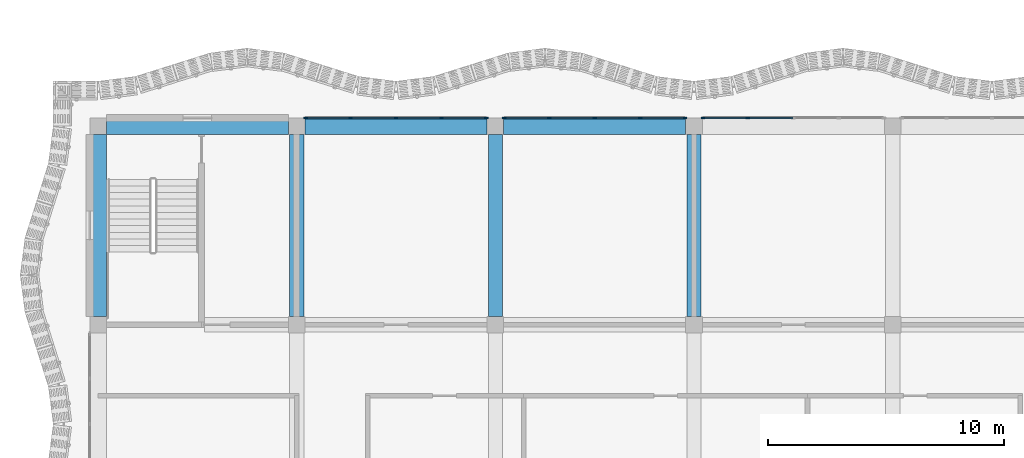
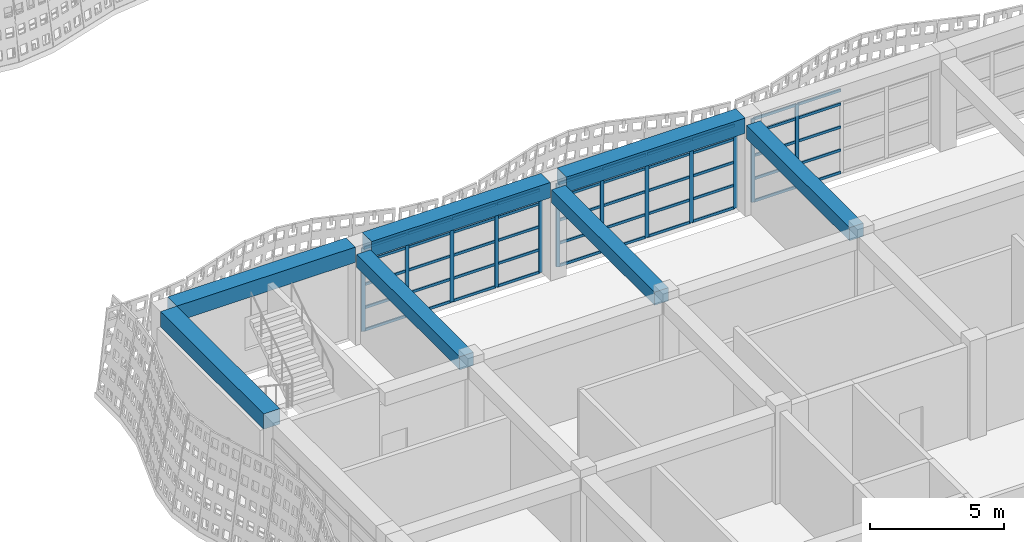
# One storey, part 22 of 162: 62 members, 7 beams, 3 elements without a shape of their own.
"""IFC4 building model written with IfcOpenShell, lengths in metres."""

from ifc_helpers import new_model, si_unit, direction, frame, origin, origin_2d, place, context, subcontext, project, spatial, rectangle, extrude, material, material_profile, profile_set, type_object, element, aggregate, save


model = new_model("IFC4")

# Units and contexts
model_context = context("Model", 3, precision=1e-05, world=origin(), true_north=direction((0.0, 1.0)))
body_context = subcontext(model_context, "Body", "Model", "MODEL_VIEW")
ifc_project = project(units=[si_unit("LENGTHUNIT", "METRE"), si_unit("AREAUNIT", "SQUARE_METRE"), si_unit("VOLUMEUNIT", "CUBIC_METRE"), si_unit("PLANEANGLEUNIT", "RADIAN"), si_unit("MASSUNIT", "GRAM", prefix="KILO")], contexts=[model_context])

# Site, building, storey
site_placement = place(None, origin())
site = spatial("IfcSite", under=ifc_project, at=site_placement, CompositionType="ELEMENT")
building_placement = place(site_placement, origin())
building = spatial("IfcBuilding", under=site, at=building_placement, Name="Rain Tree Exposition and Congress Centre", CompositionType="ELEMENT")
storey_placement = place(building_placement, frame((0.0, 0.0, 6.0)))
storey = spatial("IfcBuildingStorey", under=building, at=storey_placement, Name="L01", CompositionType="ELEMENT", Elevation=6.0)

# Beams
ifc_material_1 = material(Name="Precast concrete C50/60", Category="concrete")
ifc_material_profile_1 = material_profile(ifc_material_1, rectangle(XDim=0.60009765625, YDim=0.60009765625, at=origin_2d()), Name="RC 600x600")
ifc_profile_set_1 = profile_set([ifc_material_profile_1], Name="Precast concrete C50/60")
beam_type_1 = type_object("IfcBeamType", Name="Precast beam 600x600", PredefinedType="BEAM", material=ifc_profile_set_1)
for number, where, z_axis, x_axis, name in (
    (1, (8.39990234375, 42.35009765625, 3.85009765625), (0.0, 1.0, 0.0), (-1.0, 0.0, 0.0), "wing/beam/L01/L02/024"),
    (2, (16.800048828125, 42.35009765625, 3.85009765625), (0.0, 1.0, 0.0), (-1.0, 0.0, 0.0), "wing/beam/L01/L02/032"),
    (3, (25.199951171875, 42.35009765625, 3.85009765625), (0.0, 1.0, 0.0), (-1.0, 0.0, 0.0), "wing/beam/L01/L02/040"),
):
    element("IfcBeam", number, at=place(storey_placement, frame(where, z_axis=z_axis, x_axis=x_axis)), inside=storey, type_object=beam_type_1, Name=name, PredefinedType="BEAM", context=body_context, shape_type="SweptSolid", body=[
        extrude(rectangle(XDim=0.60009765625, YDim=0.60009765625, at=origin_2d()), origin(), (0.0, 0.0, 1.0), 7.699951171875),
    ])
ifc_material_2 = material(Name="Precast concrete C50/60", Category="concrete")
ifc_material_profile_2 = material_profile(ifc_material_2, rectangle(XDim=0.699951171875, YDim=0.699951171875, at=origin_2d()), Name="RC 700x700")
ifc_profile_set_2 = profile_set([ifc_material_profile_2], Name="Precast concrete C50/60")
beam_type_2 = type_object("IfcBeamType", Name="Precast spandrel beam 700x700", PredefinedType="SPANDREL", material=ifc_profile_set_2)
for number, where, z_axis, x_axis, name in (
    (4, (0.0, 42.35009765625, 4.14990234375), (0.0, 1.0, 0.0), (-1.0, 0.0, 0.0), "wing/beam/L01/L02/012"),
    (5, (0.35009765625, 50.39990234375, 4.14990234375), (1.0, 0.0, 0.0), (0.0, 1.0, 0.0), "wing/beam/L01/L02/061"),
    (6, (8.75, 50.39990234375, 4.14990234375), (1.0, 0.0, 0.0), (0.0, 1.0, 0.0), "wing/beam/L01/L02/063"),
):
    element("IfcBeam", number, at=place(storey_placement, frame(where, z_axis=z_axis, x_axis=x_axis)), inside=storey, type_object=beam_type_2, Name=name, PredefinedType="SPANDREL", context=body_context, shape_type="SweptSolid", body=[
        extrude(rectangle(XDim=0.699951171875, YDim=0.699951171875, at=origin_2d()), origin(), (0.0, 0.0, 1.0), 7.699951171875),
    ])
beam_placement = place(storey_placement, frame((17.14990234375, 50.39990234375, 4.14990234375), z_axis=(1.0, 0.0, 0.0), x_axis=(0.0, 1.0, 0.0)))
element("IfcBeam", 7, at=beam_placement, inside=storey, type_object=beam_type_2, Name="wing/beam/L01/L02/065", PredefinedType="SPANDREL", context=body_context, shape_type="SweptSolid", body=[
    extrude(rectangle(XDim=0.699951171875, YDim=0.699951171875, at=origin_2d()), origin(), (0.0, 0.0, 1.0), 7.7001953125),
])

# Curtain wall, members
ifc_material_3 = material(Name="Aluminium curtain wall", Category="aluminium")
curtain_wall_type = type_object("IfcCurtainWallType", Name="Wing curtain wall 1925", PredefinedType="NOTDEFINED", material=ifc_material_3)
curtain_wall_1_placement = place(storey_placement, origin())
curtain_wall_1 = element("IfcCurtainWall", 8, at=curtain_wall_1_placement, inside=storey, type_object=curtain_wall_type, Name="Curtain wall CWW204", PredefinedType="NOTDEFINED")
ifc_material_4 = material(Name="Aluminium", Category="aluminium")
ifc_material_profile_3 = material_profile(ifc_material_4, rectangle(XDim=0.06005859375, YDim=0.159912109375, at=origin_2d()), Name="Aluminium 60x160")
ifc_profile_set_3 = profile_set([ifc_material_profile_3], Name="Aluminium")
member_type_1 = type_object("IfcMemberType", Name="Wing mullion 60x160", PredefinedType="MULLION", material=ifc_profile_set_3)
member_1_placement = place(storey_placement, frame((8.780029296875, 50.75, 0.0), z_axis=(0.0, 0.0, 1.0), x_axis=(0.0, 1.0, 0.0)))
member_1 = element("IfcMember", 9, at=member_1_placement, type_object=member_type_1, Name="CWW204 mullion 1", PredefinedType="MULLION", context=body_context, shape_type="SweptSolid", body=[
    extrude(rectangle(XDim=0.06005859375, YDim=0.159912109375, at=origin_2d()), origin(), (0.0, 0.0, 1.0), 3.800048828125),
])
member_2_placement = place(storey_placement, frame((10.675048828125, 50.75, 0.0), z_axis=(0.0, 0.0, 1.0), x_axis=(0.0, 1.0, 0.0)))
member_2 = element("IfcMember", 10, at=member_2_placement, type_object=member_type_1, Name="CWW204 mullion 2", PredefinedType="MULLION", context=body_context, shape_type="SweptSolid", body=[
    extrude(rectangle(XDim=0.06005859375, YDim=0.159912109375, at=origin_2d()), origin(), (0.0, 0.0, 1.0), 3.800048828125),
])
member_3_placement = place(storey_placement, frame((12.60009765625, 50.75, 0.0), z_axis=(0.0, 0.0, 1.0), x_axis=(0.0, 1.0, 0.0)))
member_3 = element("IfcMember", 11, at=member_3_placement, type_object=member_type_1, Name="CWW204 mullion 3", PredefinedType="MULLION", context=body_context, shape_type="SweptSolid", body=[
    extrude(rectangle(XDim=0.06005859375, YDim=0.159912109375, at=origin_2d()), origin(), (0.0, 0.0, 1.0), 3.800048828125),
])
member_4_placement = place(storey_placement, frame((14.52490234375, 50.75, 0.0), z_axis=(0.0, 0.0, 1.0), x_axis=(0.0, 1.0, 0.0)))
member_4 = element("IfcMember", 12, at=member_4_placement, type_object=member_type_1, Name="CWW204 mullion 4", PredefinedType="MULLION", context=body_context, shape_type="SweptSolid", body=[
    extrude(rectangle(XDim=0.06005859375, YDim=0.159912109375, at=origin_2d()), origin(), (0.0, 0.0, 1.0), 3.800048828125),
])
member_5_placement = place(storey_placement, frame((16.419921875, 50.75, 0.0), z_axis=(0.0, 0.0, 1.0), x_axis=(0.0, 1.0, 0.0)))
member_5 = element("IfcMember", 13, at=member_5_placement, type_object=member_type_1, Name="CWW204 mullion 5", PredefinedType="MULLION", context=body_context, shape_type="SweptSolid", body=[
    extrude(rectangle(XDim=0.06005859375, YDim=0.159912109375, at=origin_2d()), origin(), (0.0, 0.0, 1.0), 3.800048828125),
])

curtain_wall_2_placement = place(storey_placement, origin())
curtain_wall_2 = element("IfcCurtainWall", 14, at=curtain_wall_2_placement, inside=storey, type_object=curtain_wall_type, Name="Curtain wall CWW205", PredefinedType="NOTDEFINED")
member_6_placement = place(storey_placement, frame((17.179931640625, 50.75, 0.0), z_axis=(0.0, 0.0, 1.0), x_axis=(0.0, 1.0, 0.0)))
member_6 = element("IfcMember", 15, at=member_6_placement, type_object=member_type_1, Name="CWW205 mullion 1", PredefinedType="MULLION", context=body_context, shape_type="SweptSolid", body=[
    extrude(rectangle(XDim=0.06005859375, YDim=0.159912109375, at=origin_2d()), origin(), (0.0, 0.0, 1.0), 3.800048828125),
])
member_7_placement = place(storey_placement, frame((19.074951171875, 50.75, 0.0), z_axis=(0.0, 0.0, 1.0), x_axis=(0.0, 1.0, 0.0)))
member_7 = element("IfcMember", 16, at=member_7_placement, type_object=member_type_1, Name="CWW205 mullion 2", PredefinedType="MULLION", context=body_context, shape_type="SweptSolid", body=[
    extrude(rectangle(XDim=0.06005859375, YDim=0.159912109375, at=origin_2d()), origin(), (0.0, 0.0, 1.0), 3.800048828125),
])
member_8_placement = place(storey_placement, frame((21.0, 50.75, 0.0), z_axis=(0.0, 0.0, 1.0), x_axis=(0.0, 1.0, 0.0)))
member_8 = element("IfcMember", 17, at=member_8_placement, type_object=member_type_1, Name="CWW205 mullion 3", PredefinedType="MULLION", context=body_context, shape_type="SweptSolid", body=[
    extrude(rectangle(XDim=0.06005859375, YDim=0.159912109375, at=origin_2d()), origin(), (0.0, 0.0, 1.0), 3.800048828125),
])
member_9_placement = place(storey_placement, frame((22.925048828125, 50.75, 0.0), z_axis=(0.0, 0.0, 1.0), x_axis=(0.0, 1.0, 0.0)))
member_9 = element("IfcMember", 18, at=member_9_placement, type_object=member_type_1, Name="CWW205 mullion 4", PredefinedType="MULLION", context=body_context, shape_type="SweptSolid", body=[
    extrude(rectangle(XDim=0.06005859375, YDim=0.159912109375, at=origin_2d()), origin(), (0.0, 0.0, 1.0), 3.800048828125),
])
member_10_placement = place(storey_placement, frame((24.820068359375, 50.75, 0.0), z_axis=(0.0, 0.0, 1.0), x_axis=(0.0, 1.0, 0.0)))
member_10 = element("IfcMember", 19, at=member_10_placement, type_object=member_type_1, Name="CWW205 mullion 5", PredefinedType="MULLION", context=body_context, shape_type="SweptSolid", body=[
    extrude(rectangle(XDim=0.06005859375, YDim=0.159912109375, at=origin_2d()), origin(), (0.0, 0.0, 1.0), 3.800048828125),
])

curtain_wall_3_placement = place(storey_placement, origin())
curtain_wall_3 = element("IfcCurtainWall", 20, at=curtain_wall_3_placement, inside=storey, type_object=curtain_wall_type, Name="Curtain wall CWW206", PredefinedType="NOTDEFINED")
member_11_placement = place(storey_placement, frame((25.580078125, 50.75, 0.0), z_axis=(0.0, 0.0, 1.0), x_axis=(0.0, 1.0, 0.0)))
member_11 = element("IfcMember", 21, at=member_11_placement, type_object=member_type_1, Name="CWW206 mullion 1", PredefinedType="MULLION", context=body_context, shape_type="SweptSolid", body=[
    extrude(rectangle(XDim=0.06005859375, YDim=0.159912109375, at=origin_2d()), origin(), (0.0, 0.0, 1.0), 3.800048828125),
])
member_12_placement = place(storey_placement, frame((27.47509765625, 50.75, 0.0), z_axis=(0.0, 0.0, 1.0), x_axis=(0.0, 1.0, 0.0)))
member_12 = element("IfcMember", 22, at=member_12_placement, type_object=member_type_1, Name="CWW206 mullion 2", PredefinedType="MULLION", context=body_context, shape_type="SweptSolid", body=[
    extrude(rectangle(XDim=0.06005859375, YDim=0.159912109375, at=origin_2d()), origin(), (0.0, 0.0, 1.0), 3.800048828125),
])

# Member
ifc_material_5 = material(Name="Aluminium", Category="aluminium")
ifc_material_profile_4 = material_profile(ifc_material_5, rectangle(XDim=0.06005859375, YDim=0.1201171875, at=origin_2d()), Name="Aluminium 60x120")
ifc_profile_set_4 = profile_set([ifc_material_profile_4], Name="Aluminium")
member_type_2 = type_object("IfcMemberType", Name="Wing transom 60x120", PredefinedType="USERDEFINED", material=ifc_profile_set_4)
member_13_placement = place(storey_placement, frame((8.81005859375, 50.75, 0.030029296875), z_axis=(1.0, 0.0, 0.0), x_axis=(0.0, 1.0, 0.0)))
member_13 = element("IfcMember", 23, at=member_13_placement, type_object=member_type_2, Name="CWW204 transom 1.1", ObjectType="TRANSOM", PredefinedType="USERDEFINED", context=body_context, shape_type="SweptSolid", body=[
    extrude(rectangle(XDim=0.06005859375, YDim=0.1201171875, at=origin_2d()), origin(), (0.0, 0.0, 1.0), 1.8349609375),
])

member_14_placement = place(storey_placement, frame((8.81005859375, 50.75, 1.050048828125), z_axis=(1.0, 0.0, 0.0), x_axis=(0.0, 1.0, 0.0)))
member_14 = element("IfcMember", 24, at=member_14_placement, type_object=member_type_2, Name="CWW204 transom 1.2", ObjectType="TRANSOM", PredefinedType="USERDEFINED", context=body_context, shape_type="SweptSolid", body=[
    extrude(rectangle(XDim=0.06005859375, YDim=0.1201171875, at=origin_2d()), origin(), (0.0, 0.0, 1.0), 1.8349609375),
])

member_15_placement = place(storey_placement, frame((8.81005859375, 50.75, 2.10009765625), z_axis=(1.0, 0.0, 0.0), x_axis=(0.0, 1.0, 0.0)))
member_15 = element("IfcMember", 25, at=member_15_placement, type_object=member_type_2, Name="CWW204 transom 1.3", ObjectType="TRANSOM", PredefinedType="USERDEFINED", context=body_context, shape_type="SweptSolid", body=[
    extrude(rectangle(XDim=0.06005859375, YDim=0.1201171875, at=origin_2d()), origin(), (0.0, 0.0, 1.0), 1.8349609375),
])

member_16_placement = place(storey_placement, frame((8.81005859375, 50.75, 3.14990234375), z_axis=(1.0, 0.0, 0.0), x_axis=(0.0, 1.0, 0.0)))
member_16 = element("IfcMember", 26, at=member_16_placement, type_object=member_type_2, Name="CWW204 transom 1.4", ObjectType="TRANSOM", PredefinedType="USERDEFINED", context=body_context, shape_type="SweptSolid", body=[
    extrude(rectangle(XDim=0.06005859375, YDim=0.1201171875, at=origin_2d()), origin(), (0.0, 0.0, 1.0), 1.8349609375),
])

member_17_placement = place(storey_placement, frame((8.81005859375, 50.75, 3.77001953125), z_axis=(1.0, 0.0, 0.0), x_axis=(0.0, 1.0, 0.0)))
member_17 = element("IfcMember", 27, at=member_17_placement, type_object=member_type_2, Name="CWW204 transom 1.5", ObjectType="TRANSOM", PredefinedType="USERDEFINED", context=body_context, shape_type="SweptSolid", body=[
    extrude(rectangle(XDim=0.06005859375, YDim=0.1201171875, at=origin_2d()), origin(), (0.0, 0.0, 1.0), 1.8349609375),
])

member_18_placement = place(storey_placement, frame((10.705078125, 50.75, 0.030029296875), z_axis=(1.0, 0.0, 0.0), x_axis=(0.0, 1.0, 0.0)))
member_18 = element("IfcMember", 28, at=member_18_placement, type_object=member_type_2, Name="CWW204 transom 2.1", ObjectType="TRANSOM", PredefinedType="USERDEFINED", context=body_context, shape_type="SweptSolid", body=[
    extrude(rectangle(XDim=0.06005859375, YDim=0.1201171875, at=origin_2d()), origin(), (0.0, 0.0, 1.0), 1.864990234375),
])

member_19_placement = place(storey_placement, frame((10.705078125, 50.75, 1.050048828125), z_axis=(1.0, 0.0, 0.0), x_axis=(0.0, 1.0, 0.0)))
member_19 = element("IfcMember", 29, at=member_19_placement, type_object=member_type_2, Name="CWW204 transom 2.2", ObjectType="TRANSOM", PredefinedType="USERDEFINED", context=body_context, shape_type="SweptSolid", body=[
    extrude(rectangle(XDim=0.06005859375, YDim=0.1201171875, at=origin_2d()), origin(), (0.0, 0.0, 1.0), 1.864990234375),
])

member_20_placement = place(storey_placement, frame((10.705078125, 50.75, 2.10009765625), z_axis=(1.0, 0.0, 0.0), x_axis=(0.0, 1.0, 0.0)))
member_20 = element("IfcMember", 30, at=member_20_placement, type_object=member_type_2, Name="CWW204 transom 2.3", ObjectType="TRANSOM", PredefinedType="USERDEFINED", context=body_context, shape_type="SweptSolid", body=[
    extrude(rectangle(XDim=0.06005859375, YDim=0.1201171875, at=origin_2d()), origin(), (0.0, 0.0, 1.0), 1.864990234375),
])

member_21_placement = place(storey_placement, frame((10.705078125, 50.75, 3.14990234375), z_axis=(1.0, 0.0, 0.0), x_axis=(0.0, 1.0, 0.0)))
member_21 = element("IfcMember", 31, at=member_21_placement, type_object=member_type_2, Name="CWW204 transom 2.4", ObjectType="TRANSOM", PredefinedType="USERDEFINED", context=body_context, shape_type="SweptSolid", body=[
    extrude(rectangle(XDim=0.06005859375, YDim=0.1201171875, at=origin_2d()), origin(), (0.0, 0.0, 1.0), 1.864990234375),
])

member_22_placement = place(storey_placement, frame((10.705078125, 50.75, 3.77001953125), z_axis=(1.0, 0.0, 0.0), x_axis=(0.0, 1.0, 0.0)))
member_22 = element("IfcMember", 32, at=member_22_placement, type_object=member_type_2, Name="CWW204 transom 2.5", ObjectType="TRANSOM", PredefinedType="USERDEFINED", context=body_context, shape_type="SweptSolid", body=[
    extrude(rectangle(XDim=0.06005859375, YDim=0.1201171875, at=origin_2d()), origin(), (0.0, 0.0, 1.0), 1.864990234375),
])

member_23_placement = place(storey_placement, frame((12.6298828125, 50.75, 0.030029296875), z_axis=(1.0, 0.0, 0.0), x_axis=(0.0, 1.0, 0.0)))
member_23 = element("IfcMember", 33, at=member_23_placement, type_object=member_type_2, Name="CWW204 transom 3.1", ObjectType="TRANSOM", PredefinedType="USERDEFINED", context=body_context, shape_type="SweptSolid", body=[
    extrude(rectangle(XDim=0.06005859375, YDim=0.1201171875, at=origin_2d()), origin(), (0.0, 0.0, 1.0), 1.865234375),
])

member_24_placement = place(storey_placement, frame((12.6298828125, 50.75, 1.050048828125), z_axis=(1.0, 0.0, 0.0), x_axis=(0.0, 1.0, 0.0)))
member_24 = element("IfcMember", 34, at=member_24_placement, type_object=member_type_2, Name="CWW204 transom 3.2", ObjectType="TRANSOM", PredefinedType="USERDEFINED", context=body_context, shape_type="SweptSolid", body=[
    extrude(rectangle(XDim=0.06005859375, YDim=0.1201171875, at=origin_2d()), origin(), (0.0, 0.0, 1.0), 1.865234375),
])

member_25_placement = place(storey_placement, frame((12.6298828125, 50.75, 2.10009765625), z_axis=(1.0, 0.0, 0.0), x_axis=(0.0, 1.0, 0.0)))
member_25 = element("IfcMember", 35, at=member_25_placement, type_object=member_type_2, Name="CWW204 transom 3.3", ObjectType="TRANSOM", PredefinedType="USERDEFINED", context=body_context, shape_type="SweptSolid", body=[
    extrude(rectangle(XDim=0.06005859375, YDim=0.1201171875, at=origin_2d()), origin(), (0.0, 0.0, 1.0), 1.865234375),
])

member_26_placement = place(storey_placement, frame((12.6298828125, 50.75, 3.14990234375), z_axis=(1.0, 0.0, 0.0), x_axis=(0.0, 1.0, 0.0)))
member_26 = element("IfcMember", 36, at=member_26_placement, type_object=member_type_2, Name="CWW204 transom 3.4", ObjectType="TRANSOM", PredefinedType="USERDEFINED", context=body_context, shape_type="SweptSolid", body=[
    extrude(rectangle(XDim=0.06005859375, YDim=0.1201171875, at=origin_2d()), origin(), (0.0, 0.0, 1.0), 1.865234375),
])

member_27_placement = place(storey_placement, frame((12.6298828125, 50.75, 3.77001953125), z_axis=(1.0, 0.0, 0.0), x_axis=(0.0, 1.0, 0.0)))
member_27 = element("IfcMember", 37, at=member_27_placement, type_object=member_type_2, Name="CWW204 transom 3.5", ObjectType="TRANSOM", PredefinedType="USERDEFINED", context=body_context, shape_type="SweptSolid", body=[
    extrude(rectangle(XDim=0.06005859375, YDim=0.1201171875, at=origin_2d()), origin(), (0.0, 0.0, 1.0), 1.865234375),
])

member_28_placement = place(storey_placement, frame((14.554931640625, 50.75, 0.030029296875), z_axis=(1.0, 0.0, 0.0), x_axis=(0.0, 1.0, 0.0)))
member_28 = element("IfcMember", 38, at=member_28_placement, type_object=member_type_2, Name="CWW204 transom 4.1", ObjectType="TRANSOM", PredefinedType="USERDEFINED", context=body_context, shape_type="SweptSolid", body=[
    extrude(rectangle(XDim=0.06005859375, YDim=0.1201171875, at=origin_2d()), origin(), (0.0, 0.0, 1.0), 1.8349609375),
])

member_29_placement = place(storey_placement, frame((14.554931640625, 50.75, 1.050048828125), z_axis=(1.0, 0.0, 0.0), x_axis=(0.0, 1.0, 0.0)))
member_29 = element("IfcMember", 39, at=member_29_placement, type_object=member_type_2, Name="CWW204 transom 4.2", ObjectType="TRANSOM", PredefinedType="USERDEFINED", context=body_context, shape_type="SweptSolid", body=[
    extrude(rectangle(XDim=0.06005859375, YDim=0.1201171875, at=origin_2d()), origin(), (0.0, 0.0, 1.0), 1.8349609375),
])

member_30_placement = place(storey_placement, frame((14.554931640625, 50.75, 2.10009765625), z_axis=(1.0, 0.0, 0.0), x_axis=(0.0, 1.0, 0.0)))
member_30 = element("IfcMember", 40, at=member_30_placement, type_object=member_type_2, Name="CWW204 transom 4.3", ObjectType="TRANSOM", PredefinedType="USERDEFINED", context=body_context, shape_type="SweptSolid", body=[
    extrude(rectangle(XDim=0.06005859375, YDim=0.1201171875, at=origin_2d()), origin(), (0.0, 0.0, 1.0), 1.8349609375),
])

member_31_placement = place(storey_placement, frame((14.554931640625, 50.75, 3.14990234375), z_axis=(1.0, 0.0, 0.0), x_axis=(0.0, 1.0, 0.0)))
member_31 = element("IfcMember", 41, at=member_31_placement, type_object=member_type_2, Name="CWW204 transom 4.4", ObjectType="TRANSOM", PredefinedType="USERDEFINED", context=body_context, shape_type="SweptSolid", body=[
    extrude(rectangle(XDim=0.06005859375, YDim=0.1201171875, at=origin_2d()), origin(), (0.0, 0.0, 1.0), 1.8349609375),
])

member_32_placement = place(storey_placement, frame((14.554931640625, 50.75, 3.77001953125), z_axis=(1.0, 0.0, 0.0), x_axis=(0.0, 1.0, 0.0)))
member_32 = element("IfcMember", 42, at=member_32_placement, type_object=member_type_2, Name="CWW204 transom 4.5", ObjectType="TRANSOM", PredefinedType="USERDEFINED", context=body_context, shape_type="SweptSolid", body=[
    extrude(rectangle(XDim=0.06005859375, YDim=0.1201171875, at=origin_2d()), origin(), (0.0, 0.0, 1.0), 1.8349609375),
])

aggregate(curtain_wall_1, [member_1, member_2, member_3, member_4, member_5, member_13, member_14, member_15, member_16, member_17, member_18, member_19, member_20, member_21, member_22, member_23, member_24, member_25, member_26, member_27, member_28, member_29, member_30, member_31, member_32])

member_33_placement = place(storey_placement, frame((17.2099609375, 50.75, 0.030029296875), z_axis=(1.0, 0.0, 0.0), x_axis=(0.0, 1.0, 0.0)))
member_33 = element("IfcMember", 43, at=member_33_placement, type_object=member_type_2, Name="CWW205 transom 1.1", ObjectType="TRANSOM", PredefinedType="USERDEFINED", context=body_context, shape_type="SweptSolid", body=[
    extrude(rectangle(XDim=0.06005859375, YDim=0.1201171875, at=origin_2d()), origin(), (0.0, 0.0, 1.0), 1.8349609375),
])

member_34_placement = place(storey_placement, frame((17.2099609375, 50.75, 1.050048828125), z_axis=(1.0, 0.0, 0.0), x_axis=(0.0, 1.0, 0.0)))
member_34 = element("IfcMember", 44, at=member_34_placement, type_object=member_type_2, Name="CWW205 transom 1.2", ObjectType="TRANSOM", PredefinedType="USERDEFINED", context=body_context, shape_type="SweptSolid", body=[
    extrude(rectangle(XDim=0.06005859375, YDim=0.1201171875, at=origin_2d()), origin(), (0.0, 0.0, 1.0), 1.8349609375),
])

member_35_placement = place(storey_placement, frame((17.2099609375, 50.75, 2.10009765625), z_axis=(1.0, 0.0, 0.0), x_axis=(0.0, 1.0, 0.0)))
member_35 = element("IfcMember", 45, at=member_35_placement, type_object=member_type_2, Name="CWW205 transom 1.3", ObjectType="TRANSOM", PredefinedType="USERDEFINED", context=body_context, shape_type="SweptSolid", body=[
    extrude(rectangle(XDim=0.06005859375, YDim=0.1201171875, at=origin_2d()), origin(), (0.0, 0.0, 1.0), 1.8349609375),
])

member_36_placement = place(storey_placement, frame((17.2099609375, 50.75, 3.14990234375), z_axis=(1.0, 0.0, 0.0), x_axis=(0.0, 1.0, 0.0)))
member_36 = element("IfcMember", 46, at=member_36_placement, type_object=member_type_2, Name="CWW205 transom 1.4", ObjectType="TRANSOM", PredefinedType="USERDEFINED", context=body_context, shape_type="SweptSolid", body=[
    extrude(rectangle(XDim=0.06005859375, YDim=0.1201171875, at=origin_2d()), origin(), (0.0, 0.0, 1.0), 1.8349609375),
])

member_37_placement = place(storey_placement, frame((17.2099609375, 50.75, 3.77001953125), z_axis=(1.0, 0.0, 0.0), x_axis=(0.0, 1.0, 0.0)))
member_37 = element("IfcMember", 47, at=member_37_placement, type_object=member_type_2, Name="CWW205 transom 1.5", ObjectType="TRANSOM", PredefinedType="USERDEFINED", context=body_context, shape_type="SweptSolid", body=[
    extrude(rectangle(XDim=0.06005859375, YDim=0.1201171875, at=origin_2d()), origin(), (0.0, 0.0, 1.0), 1.8349609375),
])

member_38_placement = place(storey_placement, frame((19.10498046875, 50.75, 0.030029296875), z_axis=(1.0, 0.0, 0.0), x_axis=(0.0, 1.0, 0.0)))
member_38 = element("IfcMember", 48, at=member_38_placement, type_object=member_type_2, Name="CWW205 transom 2.1", ObjectType="TRANSOM", PredefinedType="USERDEFINED", context=body_context, shape_type="SweptSolid", body=[
    extrude(rectangle(XDim=0.06005859375, YDim=0.1201171875, at=origin_2d()), origin(), (0.0, 0.0, 1.0), 1.864990234375),
])

member_39_placement = place(storey_placement, frame((19.10498046875, 50.75, 1.050048828125), z_axis=(1.0, 0.0, 0.0), x_axis=(0.0, 1.0, 0.0)))
member_39 = element("IfcMember", 49, at=member_39_placement, type_object=member_type_2, Name="CWW205 transom 2.2", ObjectType="TRANSOM", PredefinedType="USERDEFINED", context=body_context, shape_type="SweptSolid", body=[
    extrude(rectangle(XDim=0.06005859375, YDim=0.1201171875, at=origin_2d()), origin(), (0.0, 0.0, 1.0), 1.864990234375),
])

member_40_placement = place(storey_placement, frame((19.10498046875, 50.75, 2.10009765625), z_axis=(1.0, 0.0, 0.0), x_axis=(0.0, 1.0, 0.0)))
member_40 = element("IfcMember", 50, at=member_40_placement, type_object=member_type_2, Name="CWW205 transom 2.3", ObjectType="TRANSOM", PredefinedType="USERDEFINED", context=body_context, shape_type="SweptSolid", body=[
    extrude(rectangle(XDim=0.06005859375, YDim=0.1201171875, at=origin_2d()), origin(), (0.0, 0.0, 1.0), 1.864990234375),
])

member_41_placement = place(storey_placement, frame((19.10498046875, 50.75, 3.14990234375), z_axis=(1.0, 0.0, 0.0), x_axis=(0.0, 1.0, 0.0)))
member_41 = element("IfcMember", 51, at=member_41_placement, type_object=member_type_2, Name="CWW205 transom 2.4", ObjectType="TRANSOM", PredefinedType="USERDEFINED", context=body_context, shape_type="SweptSolid", body=[
    extrude(rectangle(XDim=0.06005859375, YDim=0.1201171875, at=origin_2d()), origin(), (0.0, 0.0, 1.0), 1.864990234375),
])

member_42_placement = place(storey_placement, frame((19.10498046875, 50.75, 3.77001953125), z_axis=(1.0, 0.0, 0.0), x_axis=(0.0, 1.0, 0.0)))
member_42 = element("IfcMember", 52, at=member_42_placement, type_object=member_type_2, Name="CWW205 transom 2.5", ObjectType="TRANSOM", PredefinedType="USERDEFINED", context=body_context, shape_type="SweptSolid", body=[
    extrude(rectangle(XDim=0.06005859375, YDim=0.1201171875, at=origin_2d()), origin(), (0.0, 0.0, 1.0), 1.864990234375),
])

member_43_placement = place(storey_placement, frame((21.030029296875, 50.75, 0.030029296875), z_axis=(1.0, 0.0, 0.0), x_axis=(0.0, 1.0, 0.0)))
member_43 = element("IfcMember", 53, at=member_43_placement, type_object=member_type_2, Name="CWW205 transom 3.1", ObjectType="TRANSOM", PredefinedType="USERDEFINED", context=body_context, shape_type="SweptSolid", body=[
    extrude(rectangle(XDim=0.06005859375, YDim=0.1201171875, at=origin_2d()), origin(), (0.0, 0.0, 1.0), 1.864990234375),
])

member_44_placement = place(storey_placement, frame((21.030029296875, 50.75, 1.050048828125), z_axis=(1.0, 0.0, 0.0), x_axis=(0.0, 1.0, 0.0)))
member_44 = element("IfcMember", 54, at=member_44_placement, type_object=member_type_2, Name="CWW205 transom 3.2", ObjectType="TRANSOM", PredefinedType="USERDEFINED", context=body_context, shape_type="SweptSolid", body=[
    extrude(rectangle(XDim=0.06005859375, YDim=0.1201171875, at=origin_2d()), origin(), (0.0, 0.0, 1.0), 1.864990234375),
])

member_45_placement = place(storey_placement, frame((21.030029296875, 50.75, 2.10009765625), z_axis=(1.0, 0.0, 0.0), x_axis=(0.0, 1.0, 0.0)))
member_45 = element("IfcMember", 55, at=member_45_placement, type_object=member_type_2, Name="CWW205 transom 3.3", ObjectType="TRANSOM", PredefinedType="USERDEFINED", context=body_context, shape_type="SweptSolid", body=[
    extrude(rectangle(XDim=0.06005859375, YDim=0.1201171875, at=origin_2d()), origin(), (0.0, 0.0, 1.0), 1.864990234375),
])

member_46_placement = place(storey_placement, frame((21.030029296875, 50.75, 3.14990234375), z_axis=(1.0, 0.0, 0.0), x_axis=(0.0, 1.0, 0.0)))
member_46 = element("IfcMember", 56, at=member_46_placement, type_object=member_type_2, Name="CWW205 transom 3.4", ObjectType="TRANSOM", PredefinedType="USERDEFINED", context=body_context, shape_type="SweptSolid", body=[
    extrude(rectangle(XDim=0.06005859375, YDim=0.1201171875, at=origin_2d()), origin(), (0.0, 0.0, 1.0), 1.864990234375),
])

member_47_placement = place(storey_placement, frame((21.030029296875, 50.75, 3.77001953125), z_axis=(1.0, 0.0, 0.0), x_axis=(0.0, 1.0, 0.0)))
member_47 = element("IfcMember", 57, at=member_47_placement, type_object=member_type_2, Name="CWW205 transom 3.5", ObjectType="TRANSOM", PredefinedType="USERDEFINED", context=body_context, shape_type="SweptSolid", body=[
    extrude(rectangle(XDim=0.06005859375, YDim=0.1201171875, at=origin_2d()), origin(), (0.0, 0.0, 1.0), 1.864990234375),
])

member_48_placement = place(storey_placement, frame((22.955078125, 50.75, 0.030029296875), z_axis=(1.0, 0.0, 0.0), x_axis=(0.0, 1.0, 0.0)))
member_48 = element("IfcMember", 58, at=member_48_placement, type_object=member_type_2, Name="CWW205 transom 4.1", ObjectType="TRANSOM", PredefinedType="USERDEFINED", context=body_context, shape_type="SweptSolid", body=[
    extrude(rectangle(XDim=0.06005859375, YDim=0.1201171875, at=origin_2d()), origin(), (0.0, 0.0, 1.0), 1.8349609375),
])

member_49_placement = place(storey_placement, frame((22.955078125, 50.75, 1.050048828125), z_axis=(1.0, 0.0, 0.0), x_axis=(0.0, 1.0, 0.0)))
member_49 = element("IfcMember", 59, at=member_49_placement, type_object=member_type_2, Name="CWW205 transom 4.2", ObjectType="TRANSOM", PredefinedType="USERDEFINED", context=body_context, shape_type="SweptSolid", body=[
    extrude(rectangle(XDim=0.06005859375, YDim=0.1201171875, at=origin_2d()), origin(), (0.0, 0.0, 1.0), 1.8349609375),
])

member_50_placement = place(storey_placement, frame((22.955078125, 50.75, 2.10009765625), z_axis=(1.0, 0.0, 0.0), x_axis=(0.0, 1.0, 0.0)))
member_50 = element("IfcMember", 60, at=member_50_placement, type_object=member_type_2, Name="CWW205 transom 4.3", ObjectType="TRANSOM", PredefinedType="USERDEFINED", context=body_context, shape_type="SweptSolid", body=[
    extrude(rectangle(XDim=0.06005859375, YDim=0.1201171875, at=origin_2d()), origin(), (0.0, 0.0, 1.0), 1.8349609375),
])

member_51_placement = place(storey_placement, frame((22.955078125, 50.75, 3.14990234375), z_axis=(1.0, 0.0, 0.0), x_axis=(0.0, 1.0, 0.0)))
member_51 = element("IfcMember", 61, at=member_51_placement, type_object=member_type_2, Name="CWW205 transom 4.4", ObjectType="TRANSOM", PredefinedType="USERDEFINED", context=body_context, shape_type="SweptSolid", body=[
    extrude(rectangle(XDim=0.06005859375, YDim=0.1201171875, at=origin_2d()), origin(), (0.0, 0.0, 1.0), 1.8349609375),
])

member_52_placement = place(storey_placement, frame((22.955078125, 50.75, 3.77001953125), z_axis=(1.0, 0.0, 0.0), x_axis=(0.0, 1.0, 0.0)))
member_52 = element("IfcMember", 62, at=member_52_placement, type_object=member_type_2, Name="CWW205 transom 4.5", ObjectType="TRANSOM", PredefinedType="USERDEFINED", context=body_context, shape_type="SweptSolid", body=[
    extrude(rectangle(XDim=0.06005859375, YDim=0.1201171875, at=origin_2d()), origin(), (0.0, 0.0, 1.0), 1.8349609375),
])

aggregate(curtain_wall_2, [member_6, member_7, member_8, member_9, member_10, member_33, member_34, member_35, member_36, member_37, member_38, member_39, member_40, member_41, member_42, member_43, member_44, member_45, member_46, member_47, member_48, member_49, member_50, member_51, member_52])

member_53_placement = place(storey_placement, frame((25.610107421875, 50.75, 0.030029296875), z_axis=(1.0, 0.0, 0.0), x_axis=(0.0, 1.0, 0.0)))
member_53 = element("IfcMember", 63, at=member_53_placement, type_object=member_type_2, Name="CWW206 transom 1.1", ObjectType="TRANSOM", PredefinedType="USERDEFINED", context=body_context, shape_type="SweptSolid", body=[
    extrude(rectangle(XDim=0.06005859375, YDim=0.1201171875, at=origin_2d()), origin(), (0.0, 0.0, 1.0), 1.8349609375),
])

member_54_placement = place(storey_placement, frame((25.610107421875, 50.75, 1.050048828125), z_axis=(1.0, 0.0, 0.0), x_axis=(0.0, 1.0, 0.0)))
member_54 = element("IfcMember", 64, at=member_54_placement, type_object=member_type_2, Name="CWW206 transom 1.2", ObjectType="TRANSOM", PredefinedType="USERDEFINED", context=body_context, shape_type="SweptSolid", body=[
    extrude(rectangle(XDim=0.06005859375, YDim=0.1201171875, at=origin_2d()), origin(), (0.0, 0.0, 1.0), 1.8349609375),
])

member_55_placement = place(storey_placement, frame((25.610107421875, 50.75, 2.10009765625), z_axis=(1.0, 0.0, 0.0), x_axis=(0.0, 1.0, 0.0)))
member_55 = element("IfcMember", 65, at=member_55_placement, type_object=member_type_2, Name="CWW206 transom 1.3", ObjectType="TRANSOM", PredefinedType="USERDEFINED", context=body_context, shape_type="SweptSolid", body=[
    extrude(rectangle(XDim=0.06005859375, YDim=0.1201171875, at=origin_2d()), origin(), (0.0, 0.0, 1.0), 1.8349609375),
])

member_56_placement = place(storey_placement, frame((25.610107421875, 50.75, 3.14990234375), z_axis=(1.0, 0.0, 0.0), x_axis=(0.0, 1.0, 0.0)))
member_56 = element("IfcMember", 66, at=member_56_placement, type_object=member_type_2, Name="CWW206 transom 1.4", ObjectType="TRANSOM", PredefinedType="USERDEFINED", context=body_context, shape_type="SweptSolid", body=[
    extrude(rectangle(XDim=0.06005859375, YDim=0.1201171875, at=origin_2d()), origin(), (0.0, 0.0, 1.0), 1.8349609375),
])

member_57_placement = place(storey_placement, frame((25.610107421875, 50.75, 3.77001953125), z_axis=(1.0, 0.0, 0.0), x_axis=(0.0, 1.0, 0.0)))
member_57 = element("IfcMember", 67, at=member_57_placement, type_object=member_type_2, Name="CWW206 transom 1.5", ObjectType="TRANSOM", PredefinedType="USERDEFINED", context=body_context, shape_type="SweptSolid", body=[
    extrude(rectangle(XDim=0.06005859375, YDim=0.1201171875, at=origin_2d()), origin(), (0.0, 0.0, 1.0), 1.8349609375),
])

member_58_placement = place(storey_placement, frame((27.5048828125, 50.75, 0.030029296875), z_axis=(1.0, 0.0, 0.0), x_axis=(0.0, 1.0, 0.0)))
member_58 = element("IfcMember", 68, at=member_58_placement, type_object=member_type_2, Name="CWW206 transom 2.1", ObjectType="TRANSOM", PredefinedType="USERDEFINED", context=body_context, shape_type="SweptSolid", body=[
    extrude(rectangle(XDim=0.06005859375, YDim=0.1201171875, at=origin_2d()), origin(), (0.0, 0.0, 1.0), 1.865234375),
])

member_59_placement = place(storey_placement, frame((27.5048828125, 50.75, 1.050048828125), z_axis=(1.0, 0.0, 0.0), x_axis=(0.0, 1.0, 0.0)))
member_59 = element("IfcMember", 69, at=member_59_placement, type_object=member_type_2, Name="CWW206 transom 2.2", ObjectType="TRANSOM", PredefinedType="USERDEFINED", context=body_context, shape_type="SweptSolid", body=[
    extrude(rectangle(XDim=0.06005859375, YDim=0.1201171875, at=origin_2d()), origin(), (0.0, 0.0, 1.0), 1.865234375),
])

member_60_placement = place(storey_placement, frame((27.5048828125, 50.75, 2.10009765625), z_axis=(1.0, 0.0, 0.0), x_axis=(0.0, 1.0, 0.0)))
member_60 = element("IfcMember", 70, at=member_60_placement, type_object=member_type_2, Name="CWW206 transom 2.3", ObjectType="TRANSOM", PredefinedType="USERDEFINED", context=body_context, shape_type="SweptSolid", body=[
    extrude(rectangle(XDim=0.06005859375, YDim=0.1201171875, at=origin_2d()), origin(), (0.0, 0.0, 1.0), 1.865234375),
])

member_61_placement = place(storey_placement, frame((27.5048828125, 50.75, 3.14990234375), z_axis=(1.0, 0.0, 0.0), x_axis=(0.0, 1.0, 0.0)))
member_61 = element("IfcMember", 71, at=member_61_placement, type_object=member_type_2, Name="CWW206 transom 2.4", ObjectType="TRANSOM", PredefinedType="USERDEFINED", context=body_context, shape_type="SweptSolid", body=[
    extrude(rectangle(XDim=0.06005859375, YDim=0.1201171875, at=origin_2d()), origin(), (0.0, 0.0, 1.0), 1.865234375),
])

member_62_placement = place(storey_placement, frame((27.5048828125, 50.75, 3.77001953125), z_axis=(1.0, 0.0, 0.0), x_axis=(0.0, 1.0, 0.0)))
member_62 = element("IfcMember", 72, at=member_62_placement, type_object=member_type_2, Name="CWW206 transom 2.5", ObjectType="TRANSOM", PredefinedType="USERDEFINED", context=body_context, shape_type="SweptSolid", body=[
    extrude(rectangle(XDim=0.06005859375, YDim=0.1201171875, at=origin_2d()), origin(), (0.0, 0.0, 1.0), 1.865234375),
])

aggregate(curtain_wall_3, [member_11, member_12, member_53, member_54, member_55, member_56, member_57, member_58, member_59, member_60, member_61, member_62])

save(model, "model.ifc")
